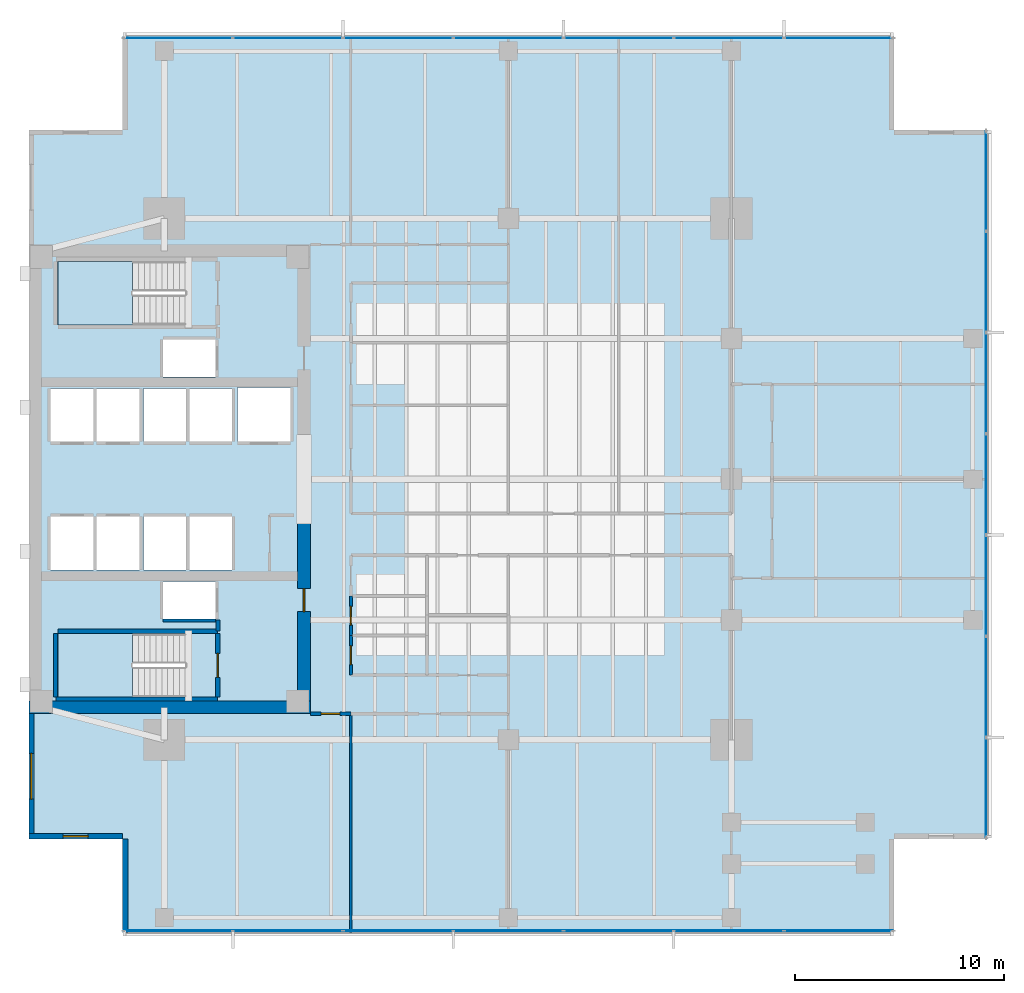
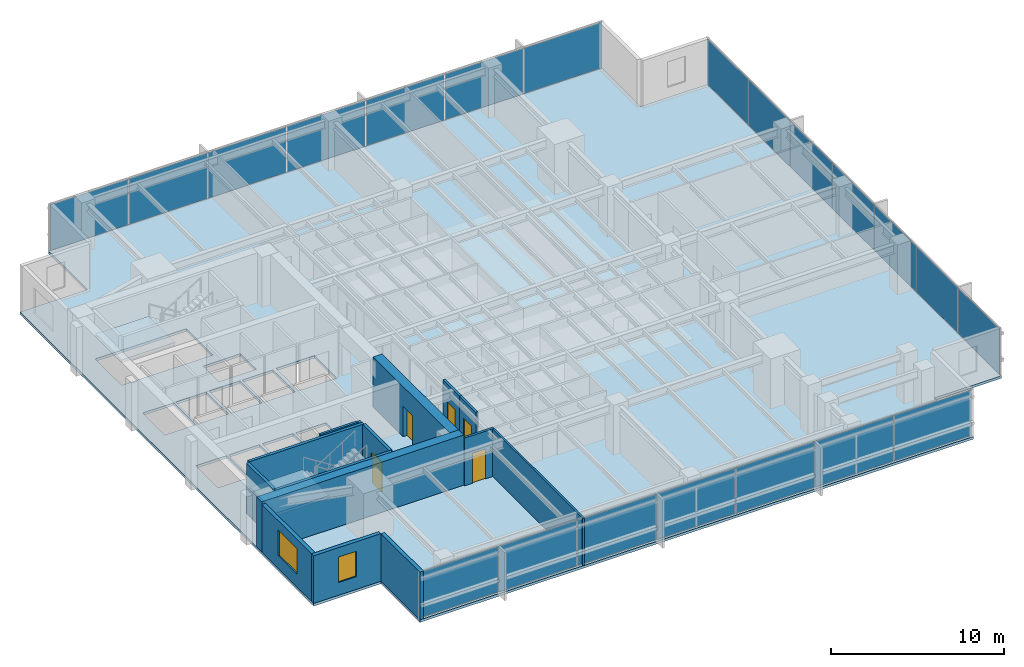
# One storey, part 7 of 14: 21 plates, 15 walls, 5 doors, 3 slabs, 2 windows, 7 openings, 5 elements without a shape of their own.
"""IFC4 building model written with IfcOpenShell, lengths in metres."""

from ifc_helpers import new_model, si_unit, direction, frame, frame_2d, origin, origin_2d, place, context, subcontext, project, spatial, polyline, rectangle, outline, extrude, material, layer, layer_set, type_object, element, fill, aggregate, save


model = new_model("IFC4")

# Units and contexts
model_context = context("Model", 3, precision=1e-05, world=origin(), true_north=direction((0.0, 1.0)))
body_context = subcontext(model_context, "Body", "Model", "MODEL_VIEW")
ifc_project = project(units=[si_unit("LENGTHUNIT", "METRE"), si_unit("AREAUNIT", "SQUARE_METRE"), si_unit("VOLUMEUNIT", "CUBIC_METRE"), si_unit("PLANEANGLEUNIT", "RADIAN"), si_unit("MASSUNIT", "GRAM", prefix="KILO")], contexts=[model_context])

# Site, building, storey
site_placement = place(None, origin())
site = spatial("IfcSite", under=ifc_project, at=site_placement, CompositionType="ELEMENT")
building_placement = place(site_placement, origin())
building = spatial("IfcBuilding", under=site, at=building_placement, Name="Kinhvarn Gate Tower", CompositionType="ELEMENT")
storey_placement = place(building_placement, frame((0.0, 0.0, 166.14990234375)))
storey = spatial("IfcBuildingStorey", under=building, at=storey_placement, Name="L44", CompositionType="ELEMENT", Elevation=166.14990234375)

# Curtain wall, plates
ifc_material_1 = material(Name="Anodised aluminium AW-6063", Category="aluminium")
ifc_layer_1 = layer(ifc_material_1, 0.179931640625)
ifc_layer_set_1 = layer_set([ifc_layer_1], Name="Anodised aluminium AW-6063")
curtain_wall_type = type_object("IfcCurtainWallType", Name="CW-SYS-3", PredefinedType="NOTDEFINED", material=ifc_layer_set_1)
curtain_wall_1_placement = place(storey_placement, origin())
curtain_wall_1 = element("IfcCurtainWall", 1, at=curtain_wall_1_placement, inside=storey, type_object=curtain_wall_type, Name="Curtain Wall CW3 (L44)", PredefinedType="NOTDEFINED")
ifc_material_2 = material(Name="Clear low-e double glazing", Category="glass")
ifc_layer_2 = layer(ifc_material_2, 0.031982421875)
ifc_layer_set_2 = layer_set([ifc_layer_2], Name="Clear low-e double glazing")
plate_type = type_object("IfcPlateType", Name="CW-PNL-VIS", PredefinedType="CURTAIN_PANEL", material=ifc_layer_set_2)
plate_1_placement = place(storey_placement, frame((11.6591796875, 3.590087890625, 0.070068359375), z_axis=(0.0, 0.0, 1.0), x_axis=(1.0, 0.0, 0.0)))
plate_1 = element("IfcPlate", 2, at=plate_1_placement, type_object=plate_type, Name="CW3 panel 1.1", PredefinedType="CURTAIN_PANEL", context=body_context, shape_type="SweptSolid", body=[
    extrude(rectangle(XDim=5.188232421875, YDim=0.031982421875, at=origin_2d()), origin(), (0.0, 0.0, 1.0), 3.22998046875),
])
plate_2_placement = place(storey_placement, frame((16.928466796875, 3.590087890625, 0.070068359375), z_axis=(0.0, 0.0, 1.0), x_axis=(1.0, 0.0, 0.0)))
plate_2 = element("IfcPlate", 3, at=plate_2_placement, type_object=plate_type, Name="CW3 panel 2.1", PredefinedType="CURTAIN_PANEL", context=body_context, shape_type="SweptSolid", body=[
    extrude(rectangle(XDim=5.220703125, YDim=0.031982421875, at=origin_2d()), origin(), (0.0, 0.0, 1.0), 3.22998046875),
])
plate_3_placement = place(storey_placement, frame((22.21435546875, 3.590087890625, 0.070068359375), z_axis=(0.0, 0.0, 1.0), x_axis=(1.0, 0.0, 0.0)))
plate_3 = element("IfcPlate", 4, at=plate_3_placement, type_object=plate_type, Name="CW3 panel 3.1", PredefinedType="CURTAIN_PANEL", context=body_context, shape_type="SweptSolid", body=[
    extrude(rectangle(XDim=5.220703125, YDim=0.031982421875, at=origin_2d()), origin(), (0.0, 0.0, 1.0), 3.22998046875),
])
plate_4_placement = place(storey_placement, frame((27.5, 3.590087890625, 0.070068359375), z_axis=(0.0, 0.0, 1.0), x_axis=(1.0, 0.0, 0.0)))
plate_4 = element("IfcPlate", 5, at=plate_4_placement, type_object=plate_type, Name="CW3 panel 4.1", PredefinedType="CURTAIN_PANEL", context=body_context, shape_type="SweptSolid", body=[
    extrude(rectangle(XDim=5.220703125, YDim=0.031982421875, at=origin_2d()), origin(), (0.0, 0.0, 1.0), 3.22998046875),
])
plate_5_placement = place(storey_placement, frame((32.78564453125, 3.590087890625, 0.070068359375), z_axis=(0.0, 0.0, 1.0), x_axis=(1.0, 0.0, 0.0)))
plate_5 = element("IfcPlate", 6, at=plate_5_placement, type_object=plate_type, Name="CW3 panel 5.1", PredefinedType="CURTAIN_PANEL", context=body_context, shape_type="SweptSolid", body=[
    extrude(rectangle(XDim=5.220703125, YDim=0.031982421875, at=origin_2d()), origin(), (0.0, 0.0, 1.0), 3.22998046875),
])
plate_6_placement = place(storey_placement, frame((38.071533203125, 3.590087890625, 0.070068359375), z_axis=(0.0, 0.0, 1.0), x_axis=(1.0, 0.0, 0.0)))
plate_6 = element("IfcPlate", 7, at=plate_6_placement, type_object=plate_type, Name="CW3 panel 6.1", PredefinedType="CURTAIN_PANEL", context=body_context, shape_type="SweptSolid", body=[
    extrude(rectangle(XDim=5.220703125, YDim=0.031982421875, at=origin_2d()), origin(), (0.0, 0.0, 1.0), 3.22998046875),
])
plate_7_placement = place(storey_placement, frame((43.3408203125, 3.590087890625, 0.070068359375), z_axis=(0.0, 0.0, 1.0), x_axis=(1.0, 0.0, 0.0)))
plate_7 = element("IfcPlate", 8, at=plate_7_placement, type_object=plate_type, Name="CW3 panel 7.1", PredefinedType="CURTAIN_PANEL", context=body_context, shape_type="SweptSolid", body=[
    extrude(rectangle(XDim=5.188232421875, YDim=0.031982421875, at=origin_2d()), origin(), (0.0, 0.0, 1.0), 3.22998046875),
])
aggregate(curtain_wall_1, [plate_1, plate_2, plate_3, plate_4, plate_5, plate_6, plate_7])

curtain_wall_2_placement = place(storey_placement, origin())
curtain_wall_2 = element("IfcCurtainWall", 9, at=curtain_wall_2_placement, inside=storey, type_object=curtain_wall_type, Name="Curtain Wall CW3 (L44)", PredefinedType="NOTDEFINED")
plate_8_placement = place(storey_placement, frame((43.3408203125, 46.409912109375, 0.070068359375), z_axis=(0.0, 0.0, 1.0), x_axis=(-1.0, 0.0, 0.0)))
plate_8 = element("IfcPlate", 10, at=plate_8_placement, type_object=plate_type, Name="CW3 panel 1.1", PredefinedType="CURTAIN_PANEL", context=body_context, shape_type="SweptSolid", body=[
    extrude(rectangle(XDim=5.188232421875, YDim=0.031982421875, at=origin_2d()), origin(), (0.0, 0.0, 1.0), 3.22998046875),
])
plate_9_placement = place(storey_placement, frame((38.071533203125, 46.409912109375, 0.070068359375), z_axis=(0.0, 0.0, 1.0), x_axis=(-1.0, 0.0, 0.0)))
plate_9 = element("IfcPlate", 11, at=plate_9_placement, type_object=plate_type, Name="CW3 panel 2.1", PredefinedType="CURTAIN_PANEL", context=body_context, shape_type="SweptSolid", body=[
    extrude(rectangle(XDim=5.220703125, YDim=0.031982421875, at=origin_2d()), origin(), (0.0, 0.0, 1.0), 3.22998046875),
])
plate_10_placement = place(storey_placement, frame((32.78564453125, 46.409912109375, 0.070068359375), z_axis=(0.0, 0.0, 1.0), x_axis=(-1.0, 0.0, 0.0)))
plate_10 = element("IfcPlate", 12, at=plate_10_placement, type_object=plate_type, Name="CW3 panel 3.1", PredefinedType="CURTAIN_PANEL", context=body_context, shape_type="SweptSolid", body=[
    extrude(rectangle(XDim=5.220703125, YDim=0.031982421875, at=origin_2d()), origin(), (0.0, 0.0, 1.0), 3.22998046875),
])
plate_11_placement = place(storey_placement, frame((27.5, 46.409912109375, 0.070068359375), z_axis=(0.0, 0.0, 1.0), x_axis=(-1.0, 0.0, 0.0)))
plate_11 = element("IfcPlate", 13, at=plate_11_placement, type_object=plate_type, Name="CW3 panel 4.1", PredefinedType="CURTAIN_PANEL", context=body_context, shape_type="SweptSolid", body=[
    extrude(rectangle(XDim=5.220703125, YDim=0.031982421875, at=origin_2d()), origin(), (0.0, 0.0, 1.0), 3.22998046875),
])
plate_12_placement = place(storey_placement, frame((22.21435546875, 46.409912109375, 0.070068359375), z_axis=(0.0, 0.0, 1.0), x_axis=(-1.0, 0.0, 0.0)))
plate_12 = element("IfcPlate", 14, at=plate_12_placement, type_object=plate_type, Name="CW3 panel 5.1", PredefinedType="CURTAIN_PANEL", context=body_context, shape_type="SweptSolid", body=[
    extrude(rectangle(XDim=5.220703125, YDim=0.031982421875, at=origin_2d()), origin(), (0.0, 0.0, 1.0), 3.22998046875),
])
plate_13_placement = place(storey_placement, frame((16.928466796875, 46.409912109375, 0.070068359375), z_axis=(0.0, 0.0, 1.0), x_axis=(-1.0, 0.0, 0.0)))
plate_13 = element("IfcPlate", 15, at=plate_13_placement, type_object=plate_type, Name="CW3 panel 6.1", PredefinedType="CURTAIN_PANEL", context=body_context, shape_type="SweptSolid", body=[
    extrude(rectangle(XDim=5.220703125, YDim=0.031982421875, at=origin_2d()), origin(), (0.0, 0.0, 1.0), 3.22998046875),
])
plate_14_placement = place(storey_placement, frame((11.6591796875, 46.409912109375, 0.070068359375), z_axis=(0.0, 0.0, 1.0), x_axis=(-1.0, 0.0, 0.0)))
plate_14 = element("IfcPlate", 16, at=plate_14_placement, type_object=plate_type, Name="CW3 panel 7.1", PredefinedType="CURTAIN_PANEL", context=body_context, shape_type="SweptSolid", body=[
    extrude(rectangle(XDim=5.188232421875, YDim=0.031982421875, at=origin_2d()), origin(), (0.0, 0.0, 1.0), 3.22998046875),
])
aggregate(curtain_wall_2, [plate_8, plate_9, plate_10, plate_11, plate_12, plate_13, plate_14])

curtain_wall_3_placement = place(storey_placement, origin())
curtain_wall_3 = element("IfcCurtainWall", 17, at=curtain_wall_3_placement, inside=storey, type_object=curtain_wall_type, Name="Curtain Wall CW3 (L44)", PredefinedType="NOTDEFINED")
plate_15_placement = place(storey_placement, frame((50.409912109375, 10.44482421875, 0.070068359375), z_axis=(0.0, 0.0, 1.0), x_axis=(0.0, 1.0, 0.0)))
plate_15 = element("IfcPlate", 18, at=plate_15_placement, type_object=plate_type, Name="CW3 panel 1.1", PredefinedType="CURTAIN_PANEL", context=body_context, shape_type="SweptSolid", body=[
    extrude(rectangle(XDim=4.759521484375, YDim=0.031982421875, at=origin_2d()), origin(), (0.0, 0.0, 1.0), 3.22998046875),
])
plate_16_placement = place(storey_placement, frame((50.409912109375, 15.28564453125, 0.070068359375), z_axis=(0.0, 0.0, 1.0), x_axis=(0.0, 1.0, 0.0)))
plate_16 = element("IfcPlate", 19, at=plate_16_placement, type_object=plate_type, Name="CW3 panel 2.1", PredefinedType="CURTAIN_PANEL", context=body_context, shape_type="SweptSolid", body=[
    extrude(rectangle(XDim=4.792236328125, YDim=0.031982421875, at=origin_2d()), origin(), (0.0, 0.0, 1.0), 3.22998046875),
])
plate_17_placement = place(storey_placement, frame((50.409912109375, 20.142822265625, 0.070068359375), z_axis=(0.0, 0.0, 1.0), x_axis=(0.0, 1.0, 0.0)))
plate_17 = element("IfcPlate", 20, at=plate_17_placement, type_object=plate_type, Name="CW3 panel 3.1", PredefinedType="CURTAIN_PANEL", context=body_context, shape_type="SweptSolid", body=[
    extrude(rectangle(XDim=4.792236328125, YDim=0.031982421875, at=origin_2d()), origin(), (0.0, 0.0, 1.0), 3.22998046875),
])
plate_18_placement = place(storey_placement, frame((50.409912109375, 25.0, 0.070068359375), z_axis=(0.0, 0.0, 1.0), x_axis=(0.0, 1.0, 0.0)))
plate_18 = element("IfcPlate", 21, at=plate_18_placement, type_object=plate_type, Name="CW3 panel 4.1", PredefinedType="CURTAIN_PANEL", context=body_context, shape_type="SweptSolid", body=[
    extrude(rectangle(XDim=4.792236328125, YDim=0.031982421875, at=origin_2d()), origin(), (0.0, 0.0, 1.0), 3.22998046875),
])
plate_19_placement = place(storey_placement, frame((50.409912109375, 29.857177734375, 0.070068359375), z_axis=(0.0, 0.0, 1.0), x_axis=(0.0, 1.0, 0.0)))
plate_19 = element("IfcPlate", 22, at=plate_19_placement, type_object=plate_type, Name="CW3 panel 5.1", PredefinedType="CURTAIN_PANEL", context=body_context, shape_type="SweptSolid", body=[
    extrude(rectangle(XDim=4.792236328125, YDim=0.031982421875, at=origin_2d()), origin(), (0.0, 0.0, 1.0), 3.22998046875),
])
plate_20_placement = place(storey_placement, frame((50.409912109375, 34.71435546875, 0.070068359375), z_axis=(0.0, 0.0, 1.0), x_axis=(0.0, 1.0, 0.0)))
plate_20 = element("IfcPlate", 23, at=plate_20_placement, type_object=plate_type, Name="CW3 panel 6.1", PredefinedType="CURTAIN_PANEL", context=body_context, shape_type="SweptSolid", body=[
    extrude(rectangle(XDim=4.792236328125, YDim=0.031982421875, at=origin_2d()), origin(), (0.0, 0.0, 1.0), 3.22998046875),
])
plate_21_placement = place(storey_placement, frame((50.409912109375, 39.55517578125, 0.070068359375), z_axis=(0.0, 0.0, 1.0), x_axis=(0.0, 1.0, 0.0)))
plate_21 = element("IfcPlate", 24, at=plate_21_placement, type_object=plate_type, Name="CW3 panel 7.1", PredefinedType="CURTAIN_PANEL", context=body_context, shape_type="SweptSolid", body=[
    extrude(rectangle(XDim=4.759521484375, YDim=0.031982421875, at=origin_2d()), origin(), (0.0, 0.0, 1.0), 3.22998046875),
])
aggregate(curtain_wall_3, [plate_15, plate_16, plate_17, plate_18, plate_19, plate_20, plate_21])

# Slab
ifc_material_3 = material(Name="Concrete C40/50", Category="concrete")
ifc_layer_3 = layer(ifc_material_3, 0.179931640625)
ifc_layer_set_3 = layer_set([ifc_layer_3], Name="Concrete C40/50")
slab_type_1 = type_object("IfcSlabType", Name="SLB-FLR-180", PredefinedType="FLOOR", material=ifc_layer_set_3)
slab_1_placement = place(storey_placement, frame((0.0, 0.0, -0.179931640625)))
element("IfcSlab", 25, at=slab_1_placement, inside=storey, type_object=slab_type_1, Name="Suspended Floor Slab L44", PredefinedType="FLOOR", context=body_context, shape_type="SweptSolid", body=[
    extrude(outline(polyline([(9.0, 3.5), (46.0, 3.5), (46.0, 8.0), (50.5, 8.0), (50.5, 42.0), (46.0, 42.0), (46.0, 46.5), (9.0, 46.5), (9.0, 42.0), (4.5, 42.0), (4.5, 8.0), (9.0, 8.0), (9.0, 3.5)]), holes=[polyline([(5.89990234375, 14.800048828125), (12.0, 14.800048828125), (12.0, 17.85009765625), (5.89990234375, 17.85009765625), (5.89990234375, 14.800048828125)]), polyline([(5.89990234375, 32.64990234375), (12.0, 32.64990234375), (12.0, 35.699951171875), (5.89990234375, 35.699951171875), (5.89990234375, 32.64990234375)]), polyline([(5.550048828125, 20.89990234375), (7.60009765625, 20.89990234375), (7.60009765625, 23.449951171875), (5.550048828125, 23.449951171875), (5.550048828125, 20.89990234375)]), polyline([(7.75, 20.89990234375), (9.800048828125, 20.89990234375), (9.800048828125, 23.449951171875), (7.75, 23.449951171875), (7.75, 20.89990234375)]), polyline([(5.550048828125, 27.050048828125), (7.60009765625, 27.050048828125), (7.60009765625, 29.60009765625), (5.550048828125, 29.60009765625), (5.550048828125, 27.050048828125)]), polyline([(7.75, 27.050048828125), (9.800048828125, 27.050048828125), (9.800048828125, 29.60009765625), (7.75, 29.60009765625), (7.75, 27.050048828125)]), polyline([(10.0, 20.89990234375), (12.050048828125, 20.89990234375), (12.050048828125, 23.449951171875), (10.0, 23.449951171875), (10.0, 20.89990234375)]), polyline([(12.199951171875, 20.89990234375), (14.25, 20.89990234375), (14.25, 23.449951171875), (12.199951171875, 23.449951171875), (12.199951171875, 20.89990234375)]), polyline([(10.0, 27.050048828125), (12.050048828125, 27.050048828125), (12.050048828125, 29.60009765625), (10.0, 29.60009765625), (10.0, 27.050048828125)]), polyline([(12.199951171875, 27.050048828125), (14.25, 27.050048828125), (14.25, 29.60009765625), (12.199951171875, 29.60009765625), (12.199951171875, 27.050048828125)]), polyline([(14.5, 27.050048828125), (17.050048828125, 27.050048828125), (17.050048828125, 29.64990234375), (14.5, 29.64990234375), (14.5, 27.050048828125)]), polyline([(10.949951171875, 18.550048828125), (13.449951171875, 18.550048828125), (13.449951171875, 20.35009765625), (10.949951171875, 20.35009765625), (10.949951171875, 18.550048828125)]), polyline([(10.949951171875, 30.14990234375), (13.449951171875, 30.14990234375), (13.449951171875, 31.949951171875), (10.949951171875, 31.949951171875), (10.949951171875, 30.14990234375)])]), origin(), (0.0, 0.0, 1.0), 0.179931640625),
])

# Stair, slab
stair_type = type_object("IfcStairType", Name="STR-DLG-177", PredefinedType="HALF_TURN_STAIR", material=ifc_material_3)
stair_1_placement = place(storey_placement, origin())
stair_1 = element("IfcStair", 26, at=stair_1_placement, inside=storey, type_object=stair_type, Name="L44 Core Smokeproof Exit Stair ST1", PredefinedType="HALF_TURN_STAIR")
ifc_layer_4 = layer(ifc_material_3, 0.199951171875)
ifc_layer_set_4 = layer_set([ifc_layer_4], Name="Concrete C40/50")
slab_type_2 = type_object("IfcSlabType", Name="SLB-ST-LND", PredefinedType="LANDING", material=ifc_layer_set_4)
slab_2_placement = place(storey_placement, frame((0.0, 0.0, 1.5751953125)))
slab_2 = element("IfcSlab", 27, at=slab_2_placement, type_object=slab_type_2, Name="ST1 landing 1", PredefinedType="LANDING", context=body_context, shape_type="SweptSolid", body=[
    extrude(outline(polyline([(9.47998046875, 17.85009765625), (5.89990234375, 17.85009765625), (5.89990234375, 14.800048828125), (9.47998046875, 14.800048828125), (9.47998046875, 17.85009765625)])), origin(), (0.0, 0.0, 1.0), 0.199951171875),
])
aggregate(stair_1, [slab_2])

stair_2_placement = place(storey_placement, origin())
stair_2 = element("IfcStair", 28, at=stair_2_placement, inside=storey, type_object=stair_type, Name="L44 Core Smokeproof Exit Stair ST2", PredefinedType="HALF_TURN_STAIR")
slab_3_placement = place(storey_placement, frame((0.0, 0.0, 1.5751953125)))
slab_3 = element("IfcSlab", 29, at=slab_3_placement, type_object=slab_type_2, Name="ST2 landing 1", PredefinedType="LANDING", context=body_context, shape_type="SweptSolid", body=[
    extrude(outline(polyline([(9.47998046875, 35.699951171875), (5.89990234375, 35.699951171875), (5.89990234375, 32.64990234375), (9.47998046875, 32.64990234375), (9.47998046875, 35.699951171875)])), origin(), (0.0, 0.0, 1.0), 0.199951171875),
])
aggregate(stair_2, [slab_3])

# Wall
ifc_material_4 = material(Name="Concrete C60/75", Category="concrete")
ifc_layer_5 = layer(ifc_material_4, 0.60009765625)
ifc_layer_set_5 = layer_set([ifc_layer_5], Name="Concrete C60/75")
wall_type_1 = type_object("IfcWallType", Name="WL-CORE-600", PredefinedType="SHEAR", material=ifc_layer_set_5)
wall_1_placement = place(storey_placement, frame((4.5, 14.300048828125, 0.0), z_axis=(0.0, 0.0, 1.0), x_axis=(1.0, 0.0, 0.0)))
element("IfcWall", 30, at=wall_1_placement, inside=storey, type_object=wall_type_1, Name="Core South Shear Wall L44 600 mm", PredefinedType="SHEAR", context=body_context, shape_type="SweptSolid", body=[
    extrude(rectangle(XDim=13.5, YDim=0.60009765625, at=frame_2d((6.75, 0.0))), origin(), (0.0, 0.0, 1.0), 3.550048828125),
])

# Wall, opening, door
wall_2_placement = place(storey_placement, frame((17.699951171875, 14.60009765625, 0.0), z_axis=(0.0, 0.0, 1.0), x_axis=(0.0, 1.0, 0.0)))
wall_2 = element("IfcWall", 31, at=wall_2_placement, inside=storey, type_object=wall_type_1, Name="Core East-South Shear Pier L44 600 mm", PredefinedType="SHEAR", context=body_context, shape_type="SweptSolid", body=[
    extrude(rectangle(XDim=8.849853515625, YDim=0.60009765625, at=frame_2d((4.4248046875, 0.0))), origin(), (0.0, 0.0, 1.0), 3.550048828125),
])
opening_1_placement = place(wall_2_placement, frame((4.300048828125, 0.0, 0.0)))
opening_1 = element("IfcOpeningElement", 32, at=opening_1_placement, cuts=wall_2, Name="Opening FD-02", PredefinedType="OPENING", context=body_context, shape_type="SweptSolid", body=[
    extrude(rectangle(XDim=1.10009765625, YDim=2.14990234375, at=frame_2d((0.550048828125, 1.074951171875))), frame((0.0, 0.31005859375, 0.0), z_axis=(0.0, -1.0, 0.0), x_axis=(1.0, 0.0, 0.0)), (0.0, 0.0, 1.0), 0.6201171875),
])
door_type_1 = type_object("IfcDoorType", Name="DR-FD-1100", OperationType="NOTDEFINED", PredefinedType="DOOR", material=ifc_material_1)
door_1_placement = place(opening_1_placement, origin())
door_1 = element("IfcDoor", 33, at=door_1_placement, inside=storey, type_object=door_type_1, Name="Firefighting Lobby Core Door (L44)", OperationType="SINGLE_SWING_RIGHT", OverallHeight=2.14990234375, OverallWidth=1.10009765625, PredefinedType="DOOR", context=body_context, shape_type="SweptSolid", body=[
    extrude(rectangle(XDim=1.10009765625, YDim=2.14990234375, at=frame_2d((0.550048828125, 1.074951171875))), frame((0.0, 0.02490234375, 0.0), z_axis=(0.0, -1.0, 0.0), x_axis=(1.0, 0.0, 0.0)), (0.0, 0.0, 1.0), 0.050048828125),
])
fill(opening_1, door_1)

# Wall, opening, window
ifc_material_5 = material(Name="Fired architectural terracotta", Category="masonry")
ifc_layer_6 = layer(ifc_material_5, 0.25)
ifc_layer_set_6 = layer_set([ifc_layer_6], Name="Fired architectural terracotta")
wall_type_2 = type_object("IfcWallType", Name="WL-EXT-250", PredefinedType="SOLIDWALL", material=ifc_layer_set_6)
wall_3_placement = place(storey_placement, frame((4.625, 14.0, 0.0), z_axis=(0.0, 0.0, 1.0), x_axis=(0.0, -1.0, 0.0)))
wall_3 = element("IfcWall", 34, at=wall_3_placement, inside=storey, type_object=wall_type_2, Name="Exterior Solidwall Wall EW-250 (L44 West-South)", PredefinedType="SOLIDWALL", context=body_context, shape_type="SweptSolid", body=[
    extrude(rectangle(XDim=6.0, YDim=0.25, at=frame_2d((3.0, 0.0))), origin(), (0.0, 0.0, 1.0), 3.3701171875),
])
opening_2_placement = place(wall_3_placement, frame((1.89990234375, 0.0, 0.89990234375)))
opening_2 = element("IfcOpeningElement", 35, at=opening_2_placement, cuts=wall_3, Name="Opening WN-01", PredefinedType="OPENING", context=body_context, shape_type="SweptSolid", body=[
    extrude(rectangle(XDim=2.199951171875, YDim=1.800048828125, at=frame_2d((1.10009765625, 0.89990234375))), frame((0.0, 0.135009765625, 0.0), z_axis=(0.0, -1.0, 0.0), x_axis=(1.0, 0.0, 0.0)), (0.0, 0.0, 1.0), 0.27001953125),
])
window_type_1 = type_object("IfcWindowType", Name="WIN-RIB-2200", PartitioningType="SINGLE_PANEL", PredefinedType="WINDOW", material=ifc_material_2)
window_1_placement = place(opening_2_placement, origin())
window_1 = element("IfcWindow", 36, at=window_1_placement, inside=storey, type_object=window_type_1, Name="West Flank Double-Glazed Ribbon Window 2200x1800 mm (L44)", OverallHeight=1.800048828125, OverallWidth=2.199951171875, PartitioningType="SINGLE_PANEL", PredefinedType="WINDOW", context=body_context, shape_type="SweptSolid", body=[
    extrude(rectangle(XDim=2.199951171875, YDim=1.800048828125, at=frame_2d((1.10009765625, 0.89990234375))), frame((0.0, 0.030029296875, 0.0), z_axis=(0.0, -1.0, 0.0), x_axis=(1.0, 0.0, 0.0)), (0.0, 0.0, 1.0), 0.06005859375),
])
fill(opening_2, window_1)

wall_4_placement = place(storey_placement, frame((4.5, 8.125, 0.0), z_axis=(0.0, 0.0, 1.0), x_axis=(1.0, 0.0, 0.0)))
wall_4 = element("IfcWall", 37, at=wall_4_placement, inside=storey, type_object=wall_type_2, Name="Exterior Solidwall Wall EW-250 (L44 SW-Notch-1)", PredefinedType="SOLIDWALL", context=body_context, shape_type="SweptSolid", body=[
    extrude(rectangle(XDim=4.5, YDim=0.25, at=frame_2d((2.25, 0.0))), origin(), (0.0, 0.0, 1.0), 3.3701171875),
])
opening_3_placement = place(wall_4_placement, frame((1.64990234375, 0.0, 0.89990234375)))
opening_3 = element("IfcOpeningElement", 38, at=opening_3_placement, cuts=wall_4, Name="Opening WN-02", PredefinedType="OPENING", context=body_context, shape_type="SweptSolid", body=[
    extrude(rectangle(XDim=1.199951171875, YDim=1.800048828125, at=frame_2d((0.60009765625, 0.89990234375))), frame((0.0, 0.135009765625, 0.0), z_axis=(0.0, -1.0, 0.0), x_axis=(1.0, 0.0, 0.0)), (0.0, 0.0, 1.0), 0.27001953125),
])
window_type_2 = type_object("IfcWindowType", Name="WIN-NTC-1200", PartitioningType="SINGLE_PANEL", PredefinedType="WINDOW", material=ifc_material_2)
window_2_placement = place(opening_3_placement, origin())
window_2 = element("IfcWindow", 39, at=window_2_placement, inside=storey, type_object=window_type_2, Name="Recessed Corner Notch Punched Window 1200x1800 mm (L44)", OverallHeight=1.800048828125, OverallWidth=1.199951171875, PartitioningType="SINGLE_PANEL", PredefinedType="WINDOW", context=body_context, shape_type="SweptSolid", body=[
    extrude(rectangle(XDim=1.199951171875, YDim=1.800048828125, at=frame_2d((0.60009765625, 0.89990234375))), frame((0.0, 0.030029296875, 0.0), z_axis=(0.0, -1.0, 0.0), x_axis=(1.0, 0.0, 0.0)), (0.0, 0.0, 1.0), 0.06005859375),
])
fill(opening_3, window_2)

# Wall
wall_5_placement = place(storey_placement, frame((9.125, 8.0, 0.0), z_axis=(0.0, 0.0, 1.0), x_axis=(0.0, -1.0, 0.0)))
element("IfcWall", 40, at=wall_5_placement, inside=storey, type_object=wall_type_2, Name="Exterior Solidwall Wall EW-250 (L44 SW-Notch-2)", PredefinedType="SOLIDWALL", context=body_context, shape_type="SweptSolid", body=[
    extrude(rectangle(XDim=4.5, YDim=0.25, at=frame_2d((2.25, 0.0))), origin(), (0.0, 0.0, 1.0), 3.3701171875),
])

# Wall, opening, door
ifc_material_6 = material(Name="Gypsum acoustic partition board")
ifc_layer_7 = layer(ifc_material_6, 0.14990234375)
ifc_layer_set_7 = layer_set([ifc_layer_7], Name="Gypsum acoustic partition board")
wall_type_3 = type_object("IfcWallType", Name="WL-PLM-150F", PredefinedType="PLUMBINGWALL", material=ifc_layer_set_7)
wall_6_placement = place(storey_placement, frame((19.949951171875, 15.85009765625, 0.0), z_axis=(0.0, 0.0, 1.0), x_axis=(0.0, 1.0, 0.0)))
wall_6 = element("IfcWall", 41, at=wall_6_placement, inside=storey, type_object=wall_type_3, Name="Interior Partition PLW-150F (L44)", PredefinedType="PLUMBINGWALL", context=body_context, shape_type="SweptSolid", body=[
    extrude(rectangle(XDim=1.89990234375, YDim=0.14990234375, at=frame_2d((0.949951171875, 0.0))), origin(), (0.0, 0.0, 1.0), 3.3701171875),
])
opening_4_placement = place(wall_6_placement, frame((0.5, 0.0, 0.0)))
opening_4 = element("IfcOpeningElement", 42, at=opening_4_placement, cuts=wall_6, Name="Opening FD-04", PredefinedType="OPENING", context=body_context, shape_type="SweptSolid", body=[
    extrude(rectangle(XDim=0.89990234375, YDim=2.10009765625, at=frame_2d((0.449951171875, 1.050048828125))), frame((0.0, 0.0849609375, 0.0), z_axis=(0.0, -1.0, 0.0), x_axis=(1.0, 0.0, 0.0)), (0.0, 0.0, 1.0), 0.169921875),
])
door_type_2 = type_object("IfcDoorType", Name="DR-FD-900", OperationType="NOTDEFINED", PredefinedType="DOOR", material=ifc_material_1)
door_2_placement = place(opening_4_placement, origin())
door_2 = element("IfcDoor", 43, at=door_2_placement, inside=storey, type_object=door_type_2, Name="Rated Riser & Service Closet Fire Door 900x2100 mm (L44)", OperationType="SINGLE_SWING_LEFT", OverallHeight=2.10009765625, OverallWidth=0.89990234375, PredefinedType="DOOR", context=body_context, shape_type="SweptSolid", body=[
    extrude(rectangle(XDim=0.89990234375, YDim=2.10009765625, at=frame_2d((0.449951171875, 1.050048828125))), frame((0.0, 0.02490234375, 0.0), z_axis=(0.0, -1.0, 0.0), x_axis=(1.0, 0.0, 0.0)), (0.0, 0.0, 1.0), 0.050048828125),
])
fill(opening_4, door_2)

wall_7_placement = place(storey_placement, frame((19.949951171875, 17.75, 0.0), z_axis=(0.0, 0.0, 1.0), x_axis=(0.0, 1.0, 0.0)))
wall_7 = element("IfcWall", 44, at=wall_7_placement, inside=storey, type_object=wall_type_3, Name="Interior Partition PLW-150F (L44)", PredefinedType="PLUMBINGWALL", context=body_context, shape_type="SweptSolid", body=[
    extrude(rectangle(XDim=1.89990234375, YDim=0.14990234375, at=frame_2d((0.949951171875, 0.0))), origin(), (0.0, 0.0, 1.0), 3.3701171875),
])
opening_5_placement = place(wall_7_placement, frame((0.5, 0.0, 0.0)))
opening_5 = element("IfcOpeningElement", 45, at=opening_5_placement, cuts=wall_7, Name="Opening FD-04", PredefinedType="OPENING", context=body_context, shape_type="SweptSolid", body=[
    extrude(rectangle(XDim=0.89990234375, YDim=2.10009765625, at=frame_2d((0.449951171875, 1.050048828125))), frame((0.0, 0.0849609375, 0.0), z_axis=(0.0, -1.0, 0.0), x_axis=(1.0, 0.0, 0.0)), (0.0, 0.0, 1.0), 0.169921875),
])
door_3_placement = place(opening_5_placement, origin())
door_3 = element("IfcDoor", 46, at=door_3_placement, inside=storey, type_object=door_type_2, Name="Rated Riser & Service Closet Fire Door 900x2100 mm (L44)", OperationType="SINGLE_SWING_RIGHT", OverallHeight=2.10009765625, OverallWidth=0.89990234375, PredefinedType="DOOR", context=body_context, shape_type="SweptSolid", body=[
    extrude(rectangle(XDim=0.89990234375, YDim=2.10009765625, at=frame_2d((0.449951171875, 1.050048828125))), frame((0.0, 0.02490234375, 0.0), z_axis=(0.0, -1.0, 0.0), x_axis=(1.0, 0.0, 0.0)), (0.0, 0.0, 1.0), 0.050048828125),
])
fill(opening_5, door_3)

# Wall
ifc_layer_8 = layer(ifc_material_6, 0.1201171875)
ifc_layer_set_8 = layer_set([ifc_layer_8], Name="Gypsum acoustic partition board")
wall_type_4 = type_object("IfcWallType", Name="WL-PRT-120", PredefinedType="PARTITIONING", material=ifc_layer_set_8)
wall_8_placement = place(storey_placement, frame((19.949951171875, 3.510009765625, 0.0), z_axis=(0.0, 0.0, 1.0), x_axis=(0.0, 1.0, 0.0)))
element("IfcWall", 47, at=wall_8_placement, inside=storey, type_object=wall_type_4, Name="Interior Partition PW-120 (L44)", PredefinedType="PARTITIONING", context=body_context, shape_type="SweptSolid", body=[
    extrude(rectangle(XDim=10.489990234375, YDim=0.1201171875, at=frame_2d((5.2451171875, 0.0))), origin(), (0.0, 0.0, 1.0), 3.3701171875),
])

# Wall, opening, door
ifc_layer_9 = layer(ifc_material_6, 0.14990234375)
ifc_layer_set_9 = layer_set([ifc_layer_9], Name="Gypsum acoustic partition board")
wall_type_5 = type_object("IfcWallType", Name="WL-PRT-150F", PredefinedType="PARTITIONING", material=ifc_layer_set_9)
wall_9_placement = place(storey_placement, frame((18.0, 14.0, 0.0), z_axis=(0.0, 0.0, 1.0), x_axis=(1.0, 0.0, 0.0)))
wall_9 = element("IfcWall", 48, at=wall_9_placement, inside=storey, type_object=wall_type_5, Name="Interior Partition PW-150F (L44)", PredefinedType="PARTITIONING", context=body_context, shape_type="SweptSolid", body=[
    extrude(rectangle(XDim=1.949951171875, YDim=0.14990234375, at=frame_2d((0.97509765625, 0.0))), origin(), (0.0, 0.0, 1.0), 3.3701171875),
])
opening_6_placement = place(wall_9_placement, frame((0.52490234375, 0.0, 0.0)))
opening_6 = element("IfcOpeningElement", 49, at=opening_6_placement, cuts=wall_9, Name="Opening ID-03", PredefinedType="OPENING", context=body_context, shape_type="SweptSolid", body=[
    extrude(rectangle(XDim=0.89990234375, YDim=2.10009765625, at=frame_2d((0.449951171875, 1.050048828125))), frame((0.0, 0.0849609375, 0.0), z_axis=(0.0, -1.0, 0.0), x_axis=(1.0, 0.0, 0.0)), (0.0, 0.0, 1.0), 0.169921875),
])
door_type_3 = type_object("IfcDoorType", Name="DR-INT-900", OperationType="NOTDEFINED", PredefinedType="DOOR", material=ifc_material_1)
door_4_placement = place(opening_6_placement, origin())
door_4 = element("IfcDoor", 50, at=door_4_placement, inside=storey, type_object=door_type_3, Name="Cellular Office & Restroom Door 900x2100 mm (L44)", OperationType="SINGLE_SWING_LEFT", OverallHeight=2.10009765625, OverallWidth=0.89990234375, PredefinedType="DOOR", context=body_context, shape_type="SweptSolid", body=[
    extrude(rectangle(XDim=0.89990234375, YDim=2.10009765625, at=frame_2d((0.449951171875, 1.050048828125))), frame((0.0, 0.02490234375, 0.0), z_axis=(0.0, -1.0, 0.0), x_axis=(1.0, 0.0, 0.0)), (0.0, 0.0, 1.0), 0.050048828125),
])
fill(opening_6, door_4)

# Walls
ifc_layer_10 = layer(ifc_material_6, 0.199951171875)
ifc_layer_set_10 = layer_set([ifc_layer_10], Name="Gypsum acoustic partition board")
wall_type_6 = type_object("IfcWallType", Name="WL-PRT-200", PredefinedType="PARTITIONING", material=ifc_layer_set_10)
wall_10_placement = place(storey_placement, frame((13.580078125, 17.9599609375, 0.0), z_axis=(0.0, 0.0, 1.0), x_axis=(0.0, 1.0, 0.0)))
element("IfcWall", 51, at=wall_10_placement, inside=storey, type_object=wall_type_6, Name="Interior Partition PW-200 (L44)", PredefinedType="PARTITIONING", context=body_context, shape_type="SweptSolid", body=[
    extrude(rectangle(XDim=0.5400390625, YDim=0.199951171875, at=frame_2d((0.27001953125, 0.0))), origin(), (0.0, 0.0, 1.0), 3.3701171875),
])
ifc_layer_11 = layer(ifc_material_6, 0.14990234375)
ifc_layer_set_11 = layer_set([ifc_layer_11], Name="Gypsum acoustic partition board")
wall_type_7 = type_object("IfcWallType", Name="WL-SHF-150", PredefinedType="PARTITIONING", material=ifc_layer_set_11)
wall_11_placement = place(storey_placement, frame((10.949951171875, 18.47509765625, 0.0), z_axis=(0.0, 0.0, 1.0), x_axis=(1.0, 0.0, 0.0)))
element("IfcWall", 52, at=wall_11_placement, inside=storey, type_object=wall_type_7, Name="Elevator FF1 Hoistway Wall S (L44)", PredefinedType="PARTITIONING", context=body_context, shape_type="SweptSolid", body=[
    extrude(rectangle(XDim=2.5, YDim=0.14990234375, at=frame_2d((1.25, 0.0))), origin(), (0.0, 0.0, 1.0), 3.3701171875),
])
ifc_layer_12 = layer(ifc_material_3, 0.199951171875)
ifc_layer_set_12 = layer_set([ifc_layer_12], Name="Concrete C40/50")
wall_type_8 = type_object("IfcWallType", Name="WL-SHF-200", PredefinedType="SOLIDWALL", material=ifc_layer_set_12)
wall_12_placement = place(storey_placement, frame((5.800048828125, 14.699951171875, 0.0), z_axis=(0.0, 0.0, 1.0), x_axis=(1.0, 0.0, 0.0)))
element("IfcWall", 53, at=wall_12_placement, inside=storey, type_object=wall_type_8, Name="Stair ST1 South Shaft Wall (L44)", PredefinedType="SOLIDWALL", context=body_context, shape_type="SweptSolid", body=[
    extrude(rectangle(XDim=7.75, YDim=0.199951171875, at=frame_2d((3.875, 0.0))), origin(), (0.0, 0.0, 1.0), 3.550048828125),
])
wall_13_placement = place(storey_placement, frame((5.7900390625, 14.800048828125, 0.0), z_axis=(0.0, 0.0, 1.0), x_axis=(0.0, 1.0, 0.0)))
element("IfcWall", 54, at=wall_13_placement, inside=storey, type_object=wall_type_8, Name="Stair ST1 West Shaft Wall (L44)", PredefinedType="SOLIDWALL", context=body_context, shape_type="SweptSolid", body=[
    extrude(rectangle(XDim=3.050048828125, YDim=0.199951171875, at=frame_2d((1.52490234375, 0.0))), origin(), (0.0, 0.0, 1.0), 3.550048828125),
])
wall_14_placement = place(storey_placement, frame((5.89990234375, 17.9599609375, 0.0), z_axis=(0.0, 0.0, 1.0), x_axis=(1.0, 0.0, 0.0)))
element("IfcWall", 55, at=wall_14_placement, inside=storey, type_object=wall_type_8, Name="Stair ST1 North Shaft Wall (L44)", PredefinedType="SOLIDWALL", context=body_context, shape_type="SweptSolid", body=[
    extrude(rectangle(XDim=7.66015625, YDim=0.199951171875, at=frame_2d((3.830078125, 0.0))), origin(), (0.0, 0.0, 1.0), 3.550048828125),
])

# Wall, opening, door
wall_15_placement = place(storey_placement, frame((13.56005859375, 14.800048828125, 0.0), z_axis=(0.0, 0.0, 1.0), x_axis=(0.0, 1.0, 0.0)))
wall_15 = element("IfcWall", 56, at=wall_15_placement, inside=storey, type_object=wall_type_8, Name="Stair ST1 East Entry Wall (L44)", PredefinedType="SOLIDWALL", context=body_context, shape_type="SweptSolid", body=[
    extrude(rectangle(XDim=3.050048828125, YDim=0.199951171875, at=frame_2d((1.52490234375, 0.0))), origin(), (0.0, 0.0, 1.0), 3.550048828125),
])
opening_7_placement = place(wall_15_placement, frame((0.949951171875, 0.0, 0.0)))
opening_7 = element("IfcOpeningElement", 57, at=opening_7_placement, cuts=wall_15, Name="Opening FD-01", PredefinedType="OPENING", context=body_context, shape_type="SweptSolid", body=[
    extrude(rectangle(XDim=1.14990234375, YDim=2.14990234375, at=frame_2d((0.574951171875, 1.074951171875))), frame((0.0, 0.10986328125, 0.0), z_axis=(0.0, -1.0, 0.0), x_axis=(1.0, 0.0, 0.0)), (0.0, 0.0, 1.0), 0.219970703125),
])
door_type_4 = type_object("IfcDoorType", Name="DR-ST-1150", OperationType="NOTDEFINED", PredefinedType="DOOR", material=ifc_material_1)
door_5_placement = place(opening_7_placement, origin())
door_5 = element("IfcDoor", 58, at=door_5_placement, inside=storey, type_object=door_type_4, Name="Exit Stair ST1 Fire Door (L44)", OperationType="SINGLE_SWING_RIGHT", OverallHeight=2.14990234375, OverallWidth=1.14990234375, PredefinedType="DOOR", context=body_context, shape_type="SweptSolid", body=[
    extrude(rectangle(XDim=1.14990234375, YDim=2.14990234375, at=frame_2d((0.574951171875, 1.074951171875))), frame((0.0, 0.02490234375, 0.0), z_axis=(0.0, -1.0, 0.0), x_axis=(1.0, 0.0, 0.0)), (0.0, 0.0, 1.0), 0.050048828125),
])
fill(opening_7, door_5)

save(model, "model.ifc")
